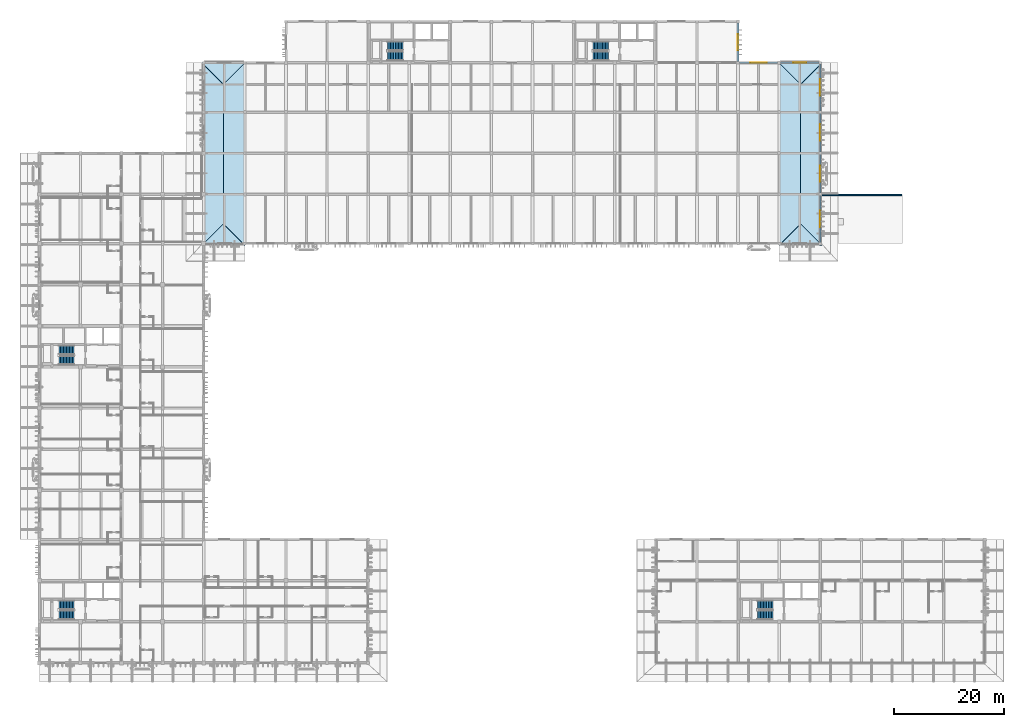
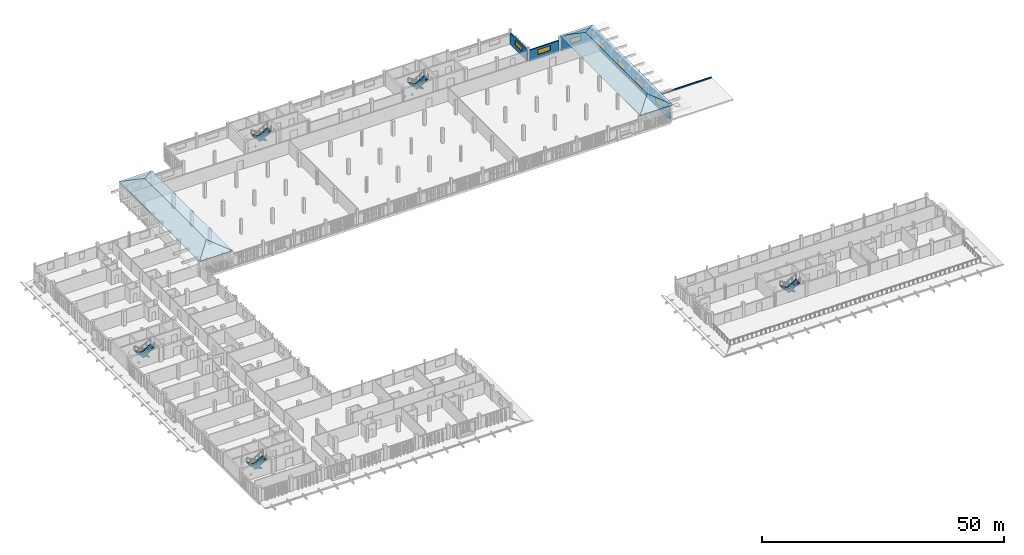
# One storey, part 26 of 43: 10 stair flights, 8 roofs, 8 walls, 7 windows, 7 openings, 5 elements without a shape of their own.
"""IFC4 building model written with IfcOpenShell, lengths in metres."""

from ifc_helpers import new_model, si_unit, direction, frame, frame_2d, origin, place, context, subcontext, project, spatial, polyline, rectangle, outline, extrude, material, layer, layer_set, type_object, element, fill, aggregate, save


model = new_model("IFC4")

# Units and contexts
model_context = context("Model", 3, precision=1e-05, world=origin(), true_north=direction((0.0, 1.0)))
body_context = subcontext(model_context, "Body", "Model", "MODEL_VIEW")
ifc_project = project(units=[si_unit("LENGTHUNIT", "METRE"), si_unit("AREAUNIT", "SQUARE_METRE"), si_unit("VOLUMEUNIT", "CUBIC_METRE"), si_unit("PLANEANGLEUNIT", "RADIAN"), si_unit("MASSUNIT", "GRAM", prefix="KILO")], contexts=[model_context])

# Site, building, storey
site_placement = place(None, origin())
site = spatial("IfcSite", under=ifc_project, at=site_placement, CompositionType="ELEMENT")
building_placement = place(site_placement, origin())
building = spatial("IfcBuilding", under=site, at=building_placement, Name="Dalvernix Boulevard General Hospital", CompositionType="ELEMENT")
storey_placement = place(building_placement, frame((0.0, 0.0, 14.10009765625)))
storey = spatial("IfcBuildingStorey", under=building, at=storey_placement, Name="L03", CompositionType="ELEMENT", Elevation=14.10009765625)

# Wall, opening, window
ifc_material_1 = material(Name="Pressed Catalan clay brick and ceramic spandrel wall C35/45", Category="masonry")
ifc_layer_1 = layer(ifc_material_1, 0.300048828125)
ifc_layer_set_1 = layer_set([ifc_layer_1], Name="Pressed Catalan clay brick and ceramic spandrel wall C35/45 (WAL-EW-02)")
wall_type_1 = type_object("IfcWallType", Name="WAL-EW-02", PredefinedType="STANDARD", material=ifc_layer_set_1)
wall_1_placement = place(storey_placement, frame((127.5, 116.715087890625, 0.0), z_axis=(0.0, 0.0, 1.0), x_axis=(0.0, -1.0, 0.0)))
wall_1 = element("IfcWall", 1, at=wall_1_placement, inside=storey, type_object=wall_type_1, Name="L03 Catalan brick external wall E 17-14", PredefinedType="STANDARD", context=body_context, shape_type="SweptSolid", body=[
    extrude(rectangle(XDim=6.955078125, YDim=0.300048828125, at=frame_2d((3.4775390625, 0.0))), origin(), (0.0, 0.0, 1.0), 2.869873046875),
])
opening_1_placement = place(wall_1_placement, frame((1.9775390625, 0.0, 1.10009765625)))
opening_1 = element("IfcOpeningElement", 2, at=opening_1_placement, cuts=wall_1, Name="Opening WN-18", PredefinedType="OPENING", context=body_context, shape_type="SweptSolid", body=[
    extrude(rectangle(XDim=3.0, YDim=1.199951171875, at=frame_2d((1.5, 0.60009765625))), frame((0.0, 0.159912109375, 0.0), z_axis=(0.0, -1.0, 0.0), x_axis=(1.0, 0.0, 0.0)), (0.0, 0.0, 1.0), 0.320068359375),
])
ifc_material_2 = material(Name="Thermally broken aluminium frame with solar-control double glazing", Category="aluminium")
window_type_1 = type_object("IfcWindowType", Name="WIN-WN-18", PartitioningType="SINGLE_PANEL", PredefinedType="WINDOW", material=ifc_material_2)
window_1_placement = place(opening_1_placement, origin())
window_1 = element("IfcWindow", 3, at=window_1_placement, inside=storey, type_object=window_type_1, Name="L03 clinical window WN-18 E 17-14", OverallHeight=1.199951171875, OverallWidth=3.0, PartitioningType="SINGLE_PANEL", PredefinedType="WINDOW", context=body_context, shape_type="SweptSolid", body=[
    extrude(rectangle(XDim=3.0, YDim=1.199951171875, at=frame_2d((1.5, 0.60009765625))), frame((0.0, 0.030029296875, 0.0), z_axis=(0.0, -1.0, 0.0), x_axis=(1.0, 0.0, 0.0)), (0.0, 0.0, 1.0), 0.06005859375),
])
fill(opening_1, window_1)

wall_2_placement = place(storey_placement, frame((127.760009765625, 109.5, 0.0), z_axis=(0.0, 0.0, 1.0), x_axis=(1.0, 0.0, 0.0)))
wall_2 = element("IfcWall", 4, at=wall_2_placement, inside=storey, type_object=wall_type_1, Name="L03 Catalan brick external wall N 17-14", PredefinedType="STANDARD", context=body_context, shape_type="SweptSolid", body=[
    extrude(rectangle(XDim=6.955078125, YDim=0.300048828125, at=frame_2d((3.4775390625, 0.0))), origin(), (0.0, 0.0, 1.0), 2.869873046875),
])
opening_2_placement = place(wall_2_placement, frame((1.9775390625, 0.0, 1.10009765625)))
opening_2 = element("IfcOpeningElement", 5, at=opening_2_placement, cuts=wall_2, Name="Opening WN-18", PredefinedType="OPENING", context=body_context, shape_type="SweptSolid", body=[
    extrude(rectangle(XDim=3.0, YDim=1.199951171875, at=frame_2d((1.5, 0.60009765625))), frame((0.0, 0.159912109375, 0.0), z_axis=(0.0, -1.0, 0.0), x_axis=(1.0, 0.0, 0.0)), (0.0, 0.0, 1.0), 0.320068359375),
])
window_2_placement = place(opening_2_placement, origin())
window_2 = element("IfcWindow", 6, at=window_2_placement, inside=storey, type_object=window_type_1, Name="L03 clinical window WN-18 N 17-14", OverallHeight=1.199951171875, OverallWidth=3.0, PartitioningType="SINGLE_PANEL", PredefinedType="WINDOW", context=body_context, shape_type="SweptSolid", body=[
    extrude(rectangle(XDim=3.0, YDim=1.199951171875, at=frame_2d((1.5, 0.60009765625))), frame((0.0, 0.030029296875, 0.0), z_axis=(0.0, -1.0, 0.0), x_axis=(1.0, 0.0, 0.0)), (0.0, 0.0, 1.0), 0.06005859375),
])
fill(opening_2, window_2)

wall_3_placement = place(storey_placement, frame((142.5, 85.264892578125, 0.0), z_axis=(0.0, 0.0, 1.0), x_axis=(0.0, -1.0, 0.0)))
wall_3 = element("IfcWall", 7, at=wall_3_placement, inside=storey, type_object=wall_type_1, Name="L03 Catalan brick external wall E 19-10", PredefinedType="STANDARD", context=body_context, shape_type="SweptSolid", body=[
    extrude(rectangle(XDim=8.52978515625, YDim=0.300048828125, at=frame_2d((4.264892578125, 0.0))), origin(), (0.0, 0.0, 1.0), 3.469970703125),
])
opening_3_placement = place(wall_3_placement, frame((2.764892578125, 0.0, 1.10009765625)))
opening_3 = element("IfcOpeningElement", 8, at=opening_3_placement, cuts=wall_3, Name="Opening WN-18", PredefinedType="OPENING", context=body_context, shape_type="SweptSolid", body=[
    extrude(rectangle(XDim=3.0, YDim=1.199951171875, at=frame_2d((1.5, 0.60009765625))), frame((0.0, 0.159912109375, 0.0), z_axis=(0.0, -1.0, 0.0), x_axis=(1.0, 0.0, 0.0)), (0.0, 0.0, 1.0), 0.320068359375),
])
window_3_placement = place(opening_3_placement, origin())
window_3 = element("IfcWindow", 9, at=window_3_placement, inside=storey, type_object=window_type_1, Name="L03 clinical window WN-18 E 19-10", OverallHeight=1.199951171875, OverallWidth=3.0, PartitioningType="SINGLE_PANEL", PredefinedType="WINDOW", context=body_context, shape_type="SweptSolid", body=[
    extrude(rectangle(XDim=3.0, YDim=1.199951171875, at=frame_2d((1.5, 0.60009765625))), frame((0.0, 0.030029296875, 0.0), z_axis=(0.0, -1.0, 0.0), x_axis=(1.0, 0.0, 0.0)), (0.0, 0.0, 1.0), 0.06005859375),
])
fill(opening_3, window_3)

wall_4_placement = place(storey_placement, frame((142.5, 92.764892578125, 0.0), z_axis=(0.0, 0.0, 1.0), x_axis=(0.0, -1.0, 0.0)))
wall_4 = element("IfcWall", 10, at=wall_4_placement, inside=storey, type_object=wall_type_1, Name="L03 Catalan brick external wall E 19-11", PredefinedType="STANDARD", context=body_context, shape_type="SweptSolid", body=[
    extrude(rectangle(XDim=7.02978515625, YDim=0.300048828125, at=frame_2d((3.514892578125, 0.0))), origin(), (0.0, 0.0, 1.0), 3.469970703125),
])
opening_4_placement = place(wall_4_placement, frame((2.014892578125, 0.0, 1.10009765625)))
opening_4 = element("IfcOpeningElement", 11, at=opening_4_placement, cuts=wall_4, Name="Opening WN-18", PredefinedType="OPENING", context=body_context, shape_type="SweptSolid", body=[
    extrude(rectangle(XDim=3.0, YDim=1.199951171875, at=frame_2d((1.5, 0.60009765625))), frame((0.0, 0.159912109375, 0.0), z_axis=(0.0, -1.0, 0.0), x_axis=(1.0, 0.0, 0.0)), (0.0, 0.0, 1.0), 0.320068359375),
])
window_4_placement = place(opening_4_placement, origin())
window_4 = element("IfcWindow", 12, at=window_4_placement, inside=storey, type_object=window_type_1, Name="L03 clinical window WN-18 E 19-11", OverallHeight=1.199951171875, OverallWidth=3.0, PartitioningType="SINGLE_PANEL", PredefinedType="WINDOW", context=body_context, shape_type="SweptSolid", body=[
    extrude(rectangle(XDim=3.0, YDim=1.199951171875, at=frame_2d((1.5, 0.60009765625))), frame((0.0, 0.030029296875, 0.0), z_axis=(0.0, -1.0, 0.0), x_axis=(1.0, 0.0, 0.0)), (0.0, 0.0, 1.0), 0.06005859375),
])
fill(opening_4, window_4)

wall_5_placement = place(storey_placement, frame((142.5, 100.264892578125, 0.0), z_axis=(0.0, 0.0, 1.0), x_axis=(0.0, -1.0, 0.0)))
wall_5 = element("IfcWall", 13, at=wall_5_placement, inside=storey, type_object=wall_type_1, Name="L03 Catalan brick external wall E 19-12", PredefinedType="STANDARD", context=body_context, shape_type="SweptSolid", body=[
    extrude(rectangle(XDim=7.02978515625, YDim=0.300048828125, at=frame_2d((3.514892578125, 0.0))), origin(), (0.0, 0.0, 1.0), 3.469970703125),
])
opening_5_placement = place(wall_5_placement, frame((2.014892578125, 0.0, 1.10009765625)))
opening_5 = element("IfcOpeningElement", 14, at=opening_5_placement, cuts=wall_5, Name="Opening WN-18", PredefinedType="OPENING", context=body_context, shape_type="SweptSolid", body=[
    extrude(rectangle(XDim=3.0, YDim=1.199951171875, at=frame_2d((1.5, 0.60009765625))), frame((0.0, 0.159912109375, 0.0), z_axis=(0.0, -1.0, 0.0), x_axis=(1.0, 0.0, 0.0)), (0.0, 0.0, 1.0), 0.320068359375),
])
window_5_placement = place(opening_5_placement, origin())
window_5 = element("IfcWindow", 15, at=window_5_placement, inside=storey, type_object=window_type_1, Name="L03 clinical window WN-18 E 19-12", OverallHeight=1.199951171875, OverallWidth=3.0, PartitioningType="SINGLE_PANEL", PredefinedType="WINDOW", context=body_context, shape_type="SweptSolid", body=[
    extrude(rectangle(XDim=3.0, YDim=1.199951171875, at=frame_2d((1.5, 0.60009765625))), frame((0.0, 0.030029296875, 0.0), z_axis=(0.0, -1.0, 0.0), x_axis=(1.0, 0.0, 0.0)), (0.0, 0.0, 1.0), 0.06005859375),
])
fill(opening_5, window_5)

wall_6_placement = place(storey_placement, frame((135.284912109375, 109.5, 0.0), z_axis=(0.0, 0.0, 1.0), x_axis=(1.0, 0.0, 0.0)))
wall_6 = element("IfcWall", 16, at=wall_6_placement, inside=storey, type_object=wall_type_1, Name="L03 Catalan brick external wall N 18-14", PredefinedType="STANDARD", context=body_context, shape_type="SweptSolid", body=[
    extrude(rectangle(XDim=6.97998046875, YDim=0.300048828125, at=frame_2d((3.489990234375, 0.0))), origin(), (0.0, 0.0, 1.0), 3.469970703125),
])
opening_6_placement = place(wall_6_placement, frame((2.2900390625, 0.0, 1.10009765625)))
opening_6 = element("IfcOpeningElement", 17, at=opening_6_placement, cuts=wall_6, Name="Opening WN-17", PredefinedType="OPENING", context=body_context, shape_type="SweptSolid", body=[
    extrude(rectangle(XDim=2.39990234375, YDim=1.199951171875, at=frame_2d((1.199951171875, 0.60009765625))), frame((0.0, 0.159912109375, 0.0), z_axis=(0.0, -1.0, 0.0), x_axis=(1.0, 0.0, 0.0)), (0.0, 0.0, 1.0), 0.320068359375),
])
window_type_2 = type_object("IfcWindowType", Name="WIN-WN-17", PartitioningType="SINGLE_PANEL", PredefinedType="WINDOW", material=ifc_material_2)
window_6_placement = place(opening_6_placement, origin())
window_6 = element("IfcWindow", 18, at=window_6_placement, inside=storey, type_object=window_type_2, Name="L03 clinical window WN-17 N 18-14", OverallHeight=1.199951171875, OverallWidth=2.39990234375, PartitioningType="SINGLE_PANEL", PredefinedType="WINDOW", context=body_context, shape_type="SweptSolid", body=[
    extrude(rectangle(XDim=2.39990234375, YDim=1.199951171875, at=frame_2d((1.199951171875, 0.60009765625))), frame((0.0, 0.030029296875, 0.0), z_axis=(0.0, -1.0, 0.0), x_axis=(1.0, 0.0, 0.0)), (0.0, 0.0, 1.0), 0.06005859375),
])
fill(opening_6, window_6)

wall_7_placement = place(storey_placement, frame((142.5, 109.264892578125, 0.0), z_axis=(0.0, 0.0, 1.0), x_axis=(0.0, -1.0, 0.0)))
wall_7 = element("IfcWall", 19, at=wall_7_placement, inside=storey, type_object=wall_type_1, Name="L03 Catalan brick external wall E 19-13", PredefinedType="STANDARD", context=body_context, shape_type="SweptSolid", body=[
    extrude(rectangle(XDim=8.52978515625, YDim=0.300048828125, at=frame_2d((4.264892578125, 0.0))), origin(), (0.0, 0.0, 1.0), 3.469970703125),
])
opening_7_placement = place(wall_7_placement, frame((2.764892578125, 0.0, 1.10009765625)))
opening_7 = element("IfcOpeningElement", 20, at=opening_7_placement, cuts=wall_7, Name="Opening WN-18", PredefinedType="OPENING", context=body_context, shape_type="SweptSolid", body=[
    extrude(rectangle(XDim=3.0, YDim=1.199951171875, at=frame_2d((1.5, 0.60009765625))), frame((0.0, 0.159912109375, 0.0), z_axis=(0.0, -1.0, 0.0), x_axis=(1.0, 0.0, 0.0)), (0.0, 0.0, 1.0), 0.320068359375),
])
window_7_placement = place(opening_7_placement, origin())
window_7 = element("IfcWindow", 21, at=window_7_placement, inside=storey, type_object=window_type_1, Name="L03 clinical window WN-18 E 19-13", OverallHeight=1.199951171875, OverallWidth=3.0, PartitioningType="SINGLE_PANEL", PredefinedType="WINDOW", context=body_context, shape_type="SweptSolid", body=[
    extrude(rectangle(XDim=3.0, YDim=1.199951171875, at=frame_2d((1.5, 0.60009765625))), frame((0.0, 0.030029296875, 0.0), z_axis=(0.0, -1.0, 0.0), x_axis=(1.0, 0.0, 0.0)), (0.0, 0.0, 1.0), 0.06005859375),
])
fill(opening_7, window_7)

# Wall
ifc_material_3 = material(Name="Insulated precast concrete parapet C40/50", Category="concrete")
ifc_layer_2 = layer(ifc_material_3, 0.219970703125)
ifc_layer_set_2 = layer_set([ifc_layer_2], Name="Insulated precast concrete parapet C40/50 (WAL-PW-01)")
wall_type_2 = type_object("IfcWallType", Name="WAL-PW-01", PredefinedType="PARAPET", material=ifc_layer_set_2)
wall_8_placement = place(storey_placement, frame((142.64990234375, 85.35009765625, 0.079833984375), z_axis=(0.0, 0.0, 1.0), x_axis=(1.0, 0.0, 0.0)))
element("IfcWall", 22, at=wall_8_placement, inside=storey, type_object=wall_type_2, Name="L03 roof parapet wall V2TOP-1", PredefinedType="PARAPET", context=body_context, shape_type="SweptSolid", body=[
    extrude(rectangle(XDim=14.7001953125, YDim=0.219970703125, at=frame_2d((7.35009765625, 0.0))), origin(), (0.0, 0.0, 1.0), 0.280029296875),
])

# Stair, stair flights
ifc_material_4 = material(Name="Precast concrete C40/50", Category="concrete")
stair_type = type_object("IfcStairType", Name="IFCSTAIR-STC-165x375", PredefinedType="HALF_TURN_STAIR", material=ifc_material_4)
stair_1_placement = place(storey_placement, origin())
stair_1 = element("IfcStair", 23, at=stair_1_placement, inside=storey, type_object=stair_type, Name="L03 Core C1 Exit Stair ST-01", PredefinedType="HALF_TURN_STAIR")
stair_flight_type = type_object("IfcStairFlightType", Name="IFCSTAIRFLIGHT-STF-165x375", PredefinedType="STRAIGHT", material=ifc_material_4)
stair_flight_1_placement = place(storey_placement, frame((6.35009765625, 10.574951171875, 0.0), z_axis=(0.0, 0.0, 1.0), x_axis=(-1.0, 0.0, 0.0)))
stair_flight_1 = element("IfcStairFlight", 24, at=stair_flight_1_placement, type_object=stair_flight_type, Name="ST-01 flight 1", NumberOfRisers=11, NumberOfTreads=10, PredefinedType="STRAIGHT", RiserHeight=0.170454545, TreadLength=0.28, context=body_context, shape_type="SweptSolid", body=[
    extrude(outline(polyline([(0.0, 0.0), (0.0, 0.17041015625), (0.280029296875, 0.17041015625), (0.280029296875, 0.3408203125), (0.56005859375, 0.3408203125), (0.56005859375, 0.511474609375), (0.840087890625, 0.511474609375), (0.840087890625, 0.681884765625), (1.1201171875, 0.681884765625), (1.1201171875, 0.852294921875), (1.39990234375, 0.852294921875), (1.39990234375, 1.022705078125), (1.679931640625, 1.022705078125), (1.679931640625, 1.193115234375), (1.9599609375, 1.193115234375), (1.9599609375, 1.363525390625), (2.239990234375, 1.363525390625), (2.239990234375, 1.5341796875), (2.52001953125, 1.5341796875), (2.52001953125, 1.70458984375), (2.800048828125, 1.70458984375), (2.800048828125, 1.875), (2.800048828125, 1.529052734375), (0.288330078125, 0.0), (0.0, 0.0)])), frame((0.0, 0.824951171875, 0.0), z_axis=(0.0, -1.0, 0.0), x_axis=(1.0, 0.0, 0.0)), (0.0, 0.0, 1.0), 1.64990234375),
])
stair_flight_2_placement = place(storey_placement, frame((3.550048828125, 8.72509765625, 1.875), z_axis=(0.0, 0.0, 1.0), x_axis=(1.0, 0.0, 0.0)))
stair_flight_2 = element("IfcStairFlight", 25, at=stair_flight_2_placement, type_object=stair_flight_type, Name="ST-01 flight 2", NumberOfRisers=11, NumberOfTreads=10, PredefinedType="STRAIGHT", RiserHeight=0.170454545, TreadLength=0.28, context=body_context, shape_type="SweptSolid", body=[
    extrude(outline(polyline([(0.0, 0.0), (0.0, 0.17041015625), (0.280029296875, 0.17041015625), (0.280029296875, 0.3408203125), (0.56005859375, 0.3408203125), (0.56005859375, 0.511474609375), (0.840087890625, 0.511474609375), (0.840087890625, 0.681884765625), (1.1201171875, 0.681884765625), (1.1201171875, 0.852294921875), (1.39990234375, 0.852294921875), (1.39990234375, 1.022705078125), (1.679931640625, 1.022705078125), (1.679931640625, 1.193115234375), (1.9599609375, 1.193115234375), (1.9599609375, 1.363525390625), (2.239990234375, 1.363525390625), (2.239990234375, 1.5341796875), (2.52001953125, 1.5341796875), (2.52001953125, 1.70458984375), (2.800048828125, 1.70458984375), (2.800048828125, 1.875), (2.800048828125, 1.529052734375), (0.288330078125, 0.0), (0.0, 0.0)])), frame((0.0, 0.824951171875, 0.0), z_axis=(0.0, -1.0, 0.0), x_axis=(1.0, 0.0, 0.0)), (0.0, 0.0, 1.0), 1.64990234375),
])
aggregate(stair_1, [stair_flight_1, stair_flight_2])

stair_2_placement = place(storey_placement, origin())
stair_2 = element("IfcStair", 26, at=stair_2_placement, inside=storey, type_object=stair_type, Name="L03 Core C2 Exit Stair ST-02", PredefinedType="HALF_TURN_STAIR")
stair_flight_3_placement = place(storey_placement, frame((6.35009765625, 57.074951171875, 0.0), z_axis=(0.0, 0.0, 1.0), x_axis=(-1.0, 0.0, 0.0)))
stair_flight_3 = element("IfcStairFlight", 27, at=stair_flight_3_placement, type_object=stair_flight_type, Name="ST-02 flight 1", NumberOfRisers=11, NumberOfTreads=10, PredefinedType="STRAIGHT", RiserHeight=0.170454545, TreadLength=0.28, context=body_context, shape_type="SweptSolid", body=[
    extrude(outline(polyline([(0.0, 0.0), (0.0, 0.17041015625), (0.280029296875, 0.17041015625), (0.280029296875, 0.3408203125), (0.56005859375, 0.3408203125), (0.56005859375, 0.511474609375), (0.840087890625, 0.511474609375), (0.840087890625, 0.681884765625), (1.1201171875, 0.681884765625), (1.1201171875, 0.852294921875), (1.39990234375, 0.852294921875), (1.39990234375, 1.022705078125), (1.679931640625, 1.022705078125), (1.679931640625, 1.193115234375), (1.9599609375, 1.193115234375), (1.9599609375, 1.363525390625), (2.239990234375, 1.363525390625), (2.239990234375, 1.5341796875), (2.52001953125, 1.5341796875), (2.52001953125, 1.70458984375), (2.800048828125, 1.70458984375), (2.800048828125, 1.875), (2.800048828125, 1.529052734375), (0.288330078125, 0.0), (0.0, 0.0)])), frame((0.0, 0.824951171875, 0.0), z_axis=(0.0, -1.0, 0.0), x_axis=(1.0, 0.0, 0.0)), (0.0, 0.0, 1.0), 1.64990234375),
])
stair_flight_4_placement = place(storey_placement, frame((3.550048828125, 55.22509765625, 1.875), z_axis=(0.0, 0.0, 1.0), x_axis=(1.0, 0.0, 0.0)))
stair_flight_4 = element("IfcStairFlight", 28, at=stair_flight_4_placement, type_object=stair_flight_type, Name="ST-02 flight 2", NumberOfRisers=11, NumberOfTreads=10, PredefinedType="STRAIGHT", RiserHeight=0.170454545, TreadLength=0.28, context=body_context, shape_type="SweptSolid", body=[
    extrude(outline(polyline([(0.0, 0.0), (0.0, 0.17041015625), (0.280029296875, 0.17041015625), (0.280029296875, 0.3408203125), (0.56005859375, 0.3408203125), (0.56005859375, 0.511474609375), (0.840087890625, 0.511474609375), (0.840087890625, 0.681884765625), (1.1201171875, 0.681884765625), (1.1201171875, 0.852294921875), (1.39990234375, 0.852294921875), (1.39990234375, 1.022705078125), (1.679931640625, 1.022705078125), (1.679931640625, 1.193115234375), (1.9599609375, 1.193115234375), (1.9599609375, 1.363525390625), (2.239990234375, 1.363525390625), (2.239990234375, 1.5341796875), (2.52001953125, 1.5341796875), (2.52001953125, 1.70458984375), (2.800048828125, 1.70458984375), (2.800048828125, 1.875), (2.800048828125, 1.529052734375), (0.288330078125, 0.0), (0.0, 0.0)])), frame((0.0, 0.824951171875, 0.0), z_axis=(0.0, -1.0, 0.0), x_axis=(1.0, 0.0, 0.0)), (0.0, 0.0, 1.0), 1.64990234375),
])
aggregate(stair_2, [stair_flight_3, stair_flight_4])

stair_3_placement = place(storey_placement, origin())
stair_3 = element("IfcStair", 29, at=stair_3_placement, inside=storey, type_object=stair_type, Name="L03 Core C3 Exit Stair ST-03", PredefinedType="HALF_TURN_STAIR")
stair_flight_5_placement = place(storey_placement, frame((66.35009765625, 112.574951171875, 0.0), z_axis=(0.0, 0.0, 1.0), x_axis=(-1.0, 0.0, 0.0)))
stair_flight_5 = element("IfcStairFlight", 30, at=stair_flight_5_placement, type_object=stair_flight_type, Name="ST-03 flight 1", NumberOfRisers=11, NumberOfTreads=10, PredefinedType="STRAIGHT", RiserHeight=0.170454545, TreadLength=0.28, context=body_context, shape_type="SweptSolid", body=[
    extrude(outline(polyline([(0.0, 0.0), (0.0, 0.17041015625), (0.280029296875, 0.17041015625), (0.280029296875, 0.3408203125), (0.56005859375, 0.3408203125), (0.56005859375, 0.511474609375), (0.840087890625, 0.511474609375), (0.840087890625, 0.681884765625), (1.1201171875, 0.681884765625), (1.1201171875, 0.852294921875), (1.39990234375, 0.852294921875), (1.39990234375, 1.022705078125), (1.679931640625, 1.022705078125), (1.679931640625, 1.193115234375), (1.9599609375, 1.193115234375), (1.9599609375, 1.363525390625), (2.239990234375, 1.363525390625), (2.239990234375, 1.5341796875), (2.52001953125, 1.5341796875), (2.52001953125, 1.70458984375), (2.800048828125, 1.70458984375), (2.800048828125, 1.875), (2.800048828125, 1.529052734375), (0.288330078125, 0.0), (0.0, 0.0)])), frame((0.0, 0.824951171875, 0.0), z_axis=(0.0, -1.0, 0.0), x_axis=(1.0, 0.0, 0.0)), (0.0, 0.0, 1.0), 1.64990234375),
])
stair_flight_6_placement = place(storey_placement, frame((63.550048828125, 110.72509765625, 1.875), z_axis=(0.0, 0.0, 1.0), x_axis=(1.0, 0.0, 0.0)))
stair_flight_6 = element("IfcStairFlight", 31, at=stair_flight_6_placement, type_object=stair_flight_type, Name="ST-03 flight 2", NumberOfRisers=11, NumberOfTreads=10, PredefinedType="STRAIGHT", RiserHeight=0.170454545, TreadLength=0.28, context=body_context, shape_type="SweptSolid", body=[
    extrude(outline(polyline([(0.0, 0.0), (0.0, 0.17041015625), (0.280029296875, 0.17041015625), (0.280029296875, 0.3408203125), (0.56005859375, 0.3408203125), (0.56005859375, 0.511474609375), (0.840087890625, 0.511474609375), (0.840087890625, 0.681884765625), (1.1201171875, 0.681884765625), (1.1201171875, 0.852294921875), (1.39990234375, 0.852294921875), (1.39990234375, 1.022705078125), (1.679931640625, 1.022705078125), (1.679931640625, 1.193115234375), (1.9599609375, 1.193115234375), (1.9599609375, 1.363525390625), (2.239990234375, 1.363525390625), (2.239990234375, 1.5341796875), (2.52001953125, 1.5341796875), (2.52001953125, 1.70458984375), (2.800048828125, 1.70458984375), (2.800048828125, 1.875), (2.800048828125, 1.529052734375), (0.288330078125, 0.0), (0.0, 0.0)])), frame((0.0, 0.824951171875, 0.0), z_axis=(0.0, -1.0, 0.0), x_axis=(1.0, 0.0, 0.0)), (0.0, 0.0, 1.0), 1.64990234375),
])
aggregate(stair_3, [stair_flight_5, stair_flight_6])

stair_4_placement = place(storey_placement, origin())
stair_4 = element("IfcStair", 32, at=stair_4_placement, inside=storey, type_object=stair_type, Name="L03 Core C4 Exit Stair ST-04", PredefinedType="HALF_TURN_STAIR")
stair_flight_7_placement = place(storey_placement, frame((103.85009765625, 112.574951171875, 0.0), z_axis=(0.0, 0.0, 1.0), x_axis=(-1.0, 0.0, 0.0)))
stair_flight_7 = element("IfcStairFlight", 33, at=stair_flight_7_placement, type_object=stair_flight_type, Name="ST-04 flight 1", NumberOfRisers=11, NumberOfTreads=10, PredefinedType="STRAIGHT", RiserHeight=0.170454545, TreadLength=0.28, context=body_context, shape_type="SweptSolid", body=[
    extrude(outline(polyline([(0.0, 0.0), (0.0, 0.17041015625), (0.280029296875, 0.17041015625), (0.280029296875, 0.3408203125), (0.56005859375, 0.3408203125), (0.56005859375, 0.511474609375), (0.840087890625, 0.511474609375), (0.840087890625, 0.681884765625), (1.1201171875, 0.681884765625), (1.1201171875, 0.852294921875), (1.39990234375, 0.852294921875), (1.39990234375, 1.022705078125), (1.679931640625, 1.022705078125), (1.679931640625, 1.193115234375), (1.9599609375, 1.193115234375), (1.9599609375, 1.363525390625), (2.239990234375, 1.363525390625), (2.239990234375, 1.5341796875), (2.52001953125, 1.5341796875), (2.52001953125, 1.70458984375), (2.800048828125, 1.70458984375), (2.800048828125, 1.875), (2.800048828125, 1.529052734375), (0.288330078125, 0.0), (0.0, 0.0)])), frame((0.0, 0.824951171875, 0.0), z_axis=(0.0, -1.0, 0.0), x_axis=(1.0, 0.0, 0.0)), (0.0, 0.0, 1.0), 1.64990234375),
])
stair_flight_8_placement = place(storey_placement, frame((101.050048828125, 110.72509765625, 1.875), z_axis=(0.0, 0.0, 1.0), x_axis=(1.0, 0.0, 0.0)))
stair_flight_8 = element("IfcStairFlight", 34, at=stair_flight_8_placement, type_object=stair_flight_type, Name="ST-04 flight 2", NumberOfRisers=11, NumberOfTreads=10, PredefinedType="STRAIGHT", RiserHeight=0.170454545, TreadLength=0.28, context=body_context, shape_type="SweptSolid", body=[
    extrude(outline(polyline([(0.0, 0.0), (0.0, 0.17041015625), (0.280029296875, 0.17041015625), (0.280029296875, 0.3408203125), (0.56005859375, 0.3408203125), (0.56005859375, 0.511474609375), (0.840087890625, 0.511474609375), (0.840087890625, 0.681884765625), (1.1201171875, 0.681884765625), (1.1201171875, 0.852294921875), (1.39990234375, 0.852294921875), (1.39990234375, 1.022705078125), (1.679931640625, 1.022705078125), (1.679931640625, 1.193115234375), (1.9599609375, 1.193115234375), (1.9599609375, 1.363525390625), (2.239990234375, 1.363525390625), (2.239990234375, 1.5341796875), (2.52001953125, 1.5341796875), (2.52001953125, 1.70458984375), (2.800048828125, 1.70458984375), (2.800048828125, 1.875), (2.800048828125, 1.529052734375), (0.288330078125, 0.0), (0.0, 0.0)])), frame((0.0, 0.824951171875, 0.0), z_axis=(0.0, -1.0, 0.0), x_axis=(1.0, 0.0, 0.0)), (0.0, 0.0, 1.0), 1.64990234375),
])
aggregate(stair_4, [stair_flight_7, stair_flight_8])

stair_5_placement = place(storey_placement, origin())
stair_5 = element("IfcStair", 35, at=stair_5_placement, inside=storey, type_object=stair_type, Name="L03 Core C5 Exit Stair ST-05", PredefinedType="HALF_TURN_STAIR")
stair_flight_9_placement = place(storey_placement, frame((133.85009765625, 10.574951171875, 0.0), z_axis=(0.0, 0.0, 1.0), x_axis=(-1.0, 0.0, 0.0)))
stair_flight_9 = element("IfcStairFlight", 36, at=stair_flight_9_placement, type_object=stair_flight_type, Name="ST-05 flight 1", NumberOfRisers=11, NumberOfTreads=10, PredefinedType="STRAIGHT", RiserHeight=0.170454545, TreadLength=0.28, context=body_context, shape_type="SweptSolid", body=[
    extrude(outline(polyline([(0.0, 0.0), (0.0, 0.17041015625), (0.280029296875, 0.17041015625), (0.280029296875, 0.3408203125), (0.56005859375, 0.3408203125), (0.56005859375, 0.511474609375), (0.840087890625, 0.511474609375), (0.840087890625, 0.681884765625), (1.1201171875, 0.681884765625), (1.1201171875, 0.852294921875), (1.39990234375, 0.852294921875), (1.39990234375, 1.022705078125), (1.679931640625, 1.022705078125), (1.679931640625, 1.193115234375), (1.9599609375, 1.193115234375), (1.9599609375, 1.363525390625), (2.239990234375, 1.363525390625), (2.239990234375, 1.5341796875), (2.52001953125, 1.5341796875), (2.52001953125, 1.70458984375), (2.800048828125, 1.70458984375), (2.800048828125, 1.875), (2.800048828125, 1.529052734375), (0.288330078125, 0.0), (0.0, 0.0)])), frame((0.0, 0.824951171875, 0.0), z_axis=(0.0, -1.0, 0.0), x_axis=(1.0, 0.0, 0.0)), (0.0, 0.0, 1.0), 1.64990234375),
])
stair_flight_10_placement = place(storey_placement, frame((131.050048828125, 8.72509765625, 1.875), z_axis=(0.0, 0.0, 1.0), x_axis=(1.0, 0.0, 0.0)))
stair_flight_10 = element("IfcStairFlight", 37, at=stair_flight_10_placement, type_object=stair_flight_type, Name="ST-05 flight 2", NumberOfRisers=11, NumberOfTreads=10, PredefinedType="STRAIGHT", RiserHeight=0.170454545, TreadLength=0.28, context=body_context, shape_type="SweptSolid", body=[
    extrude(outline(polyline([(0.0, 0.0), (0.0, 0.17041015625), (0.280029296875, 0.17041015625), (0.280029296875, 0.3408203125), (0.56005859375, 0.3408203125), (0.56005859375, 0.511474609375), (0.840087890625, 0.511474609375), (0.840087890625, 0.681884765625), (1.1201171875, 0.681884765625), (1.1201171875, 0.852294921875), (1.39990234375, 0.852294921875), (1.39990234375, 1.022705078125), (1.679931640625, 1.022705078125), (1.679931640625, 1.193115234375), (1.9599609375, 1.193115234375), (1.9599609375, 1.363525390625), (2.239990234375, 1.363525390625), (2.239990234375, 1.5341796875), (2.52001953125, 1.5341796875), (2.52001953125, 1.70458984375), (2.800048828125, 1.70458984375), (2.800048828125, 1.875), (2.800048828125, 1.529052734375), (0.288330078125, 0.0), (0.0, 0.0)])), frame((0.0, 0.824951171875, 0.0), z_axis=(0.0, -1.0, 0.0), x_axis=(1.0, 0.0, 0.0)), (0.0, 0.0, 1.0), 1.64990234375),
])
aggregate(stair_5, [stair_flight_9, stair_flight_10])

# Roofs
ifc_material_5 = material(Name="Glazed Catalan terracotta roof tile on timber boarding", Category="masonry")
ifc_layer_3 = layer(ifc_material_5, 0.1201171875)
ifc_layer_set_3 = layer_set([ifc_layer_3], Name="Glazed Catalan terracotta roof tile on timber boarding (ROOF-UPT-01)")
roof_type = type_object("IfcRoofType", Name="ROOF-UPT-01", PredefinedType="HIP_ROOF", material=ifc_layer_set_3)
for number, where, z_axis, x_axis, name in (
    (38, (29.64990234375, 109.5, 3.975830078125), (-0.413768813054, 0.0, 0.910381990894), (0.0, -1.0, 0.0), "V3-L03W steep Catalan terracotta hipped roof W"),
    (39, (37.5, 76.14990234375, 3.975830078125), (0.413768813054, 0.0, 0.910381990894), (0.0, 1.0, 0.0), "V3-L03W steep Catalan terracotta hipped roof E"),
):
    element("IfcRoof", number, at=place(storey_placement, frame(where, z_axis=z_axis, x_axis=x_axis)), inside=storey, type_object=roof_type, Name=name, PredefinedType="HIP_ROOF", context=body_context, shape_type="SweptSolid", body=[
        extrude(outline(polyline([(0.0, 0.0), (33.35009765625, 0.0), (29.425048828125, 4.311430660299391), (3.925048828125, 4.311430660299391), (0.0, 0.0)])), origin(), (0.0, 0.0, -1.0), 0.1201171875),
    ])
for number, where, z_axis, x_axis, name in (
    (40, (29.64990234375, 76.14990234375, 3.975830078125), (0.0, -0.413768813054, 0.910381990894), (1.0, 0.0, 0.0), "V3-L03W steep Catalan terracotta hipped roof S"),
    (41, (37.5, 109.5, 3.975830078125), (0.0, 0.413768813054, 0.910381990894), (-1.0, 0.0, 0.0), "V3-L03W steep Catalan terracotta hipped roof N"),
):
    element("IfcRoof", number, at=place(storey_placement, frame(where, z_axis=z_axis, x_axis=x_axis)), inside=storey, type_object=roof_type, Name=name, PredefinedType="HIP_ROOF", context=body_context, shape_type="SweptSolid", body=[
        extrude(outline(polyline([(0.0, 0.0), (7.85009765625, 0.0), (3.925048828125, 4.311430660299392), (0.0, 0.0)])), origin(), (0.0, 0.0, -1.0), 0.1201171875),
    ])
for number, where, z_axis, x_axis, name in (
    (42, (135.0, 109.5, 3.975830078125), (-0.413768813054, 0.0, 0.910381990894), (0.0, -1.0, 0.0), "V3-L03E steep Catalan terracotta hipped roof W"),
    (43, (142.85009765625, 76.14990234375, 3.975830078125), (0.413768813054, 0.0, 0.910381990894), (0.0, 1.0, 0.0), "V3-L03E steep Catalan terracotta hipped roof E"),
):
    element("IfcRoof", number, at=place(storey_placement, frame(where, z_axis=z_axis, x_axis=x_axis)), inside=storey, type_object=roof_type, Name=name, PredefinedType="HIP_ROOF", context=body_context, shape_type="SweptSolid", body=[
        extrude(outline(polyline([(0.0, 0.0), (33.35009765625, 0.0), (29.425048828125, 4.311430660299391), (3.925048828125, 4.311430660299391), (0.0, 0.0)])), origin(), (0.0, 0.0, -1.0), 0.1201171875),
    ])
for number, where, z_axis, x_axis, name in (
    (44, (135.0, 76.14990234375, 3.975830078125), (0.0, -0.413768813054, 0.910381990894), (1.0, 0.0, 0.0), "V3-L03E steep Catalan terracotta hipped roof S"),
    (45, (142.85009765625, 109.5, 3.975830078125), (0.0, 0.413768813054, 0.910381990894), (-1.0, 0.0, 0.0), "V3-L03E steep Catalan terracotta hipped roof N"),
):
    element("IfcRoof", number, at=place(storey_placement, frame(where, z_axis=z_axis, x_axis=x_axis)), inside=storey, type_object=roof_type, Name=name, PredefinedType="HIP_ROOF", context=body_context, shape_type="SweptSolid", body=[
        extrude(outline(polyline([(0.0, 0.0), (7.85009765625, 0.0), (3.925048828125, 4.311430660299392), (0.0, 0.0)])), origin(), (0.0, 0.0, -1.0), 0.1201171875),
    ])

save(model, "model.ifc")
